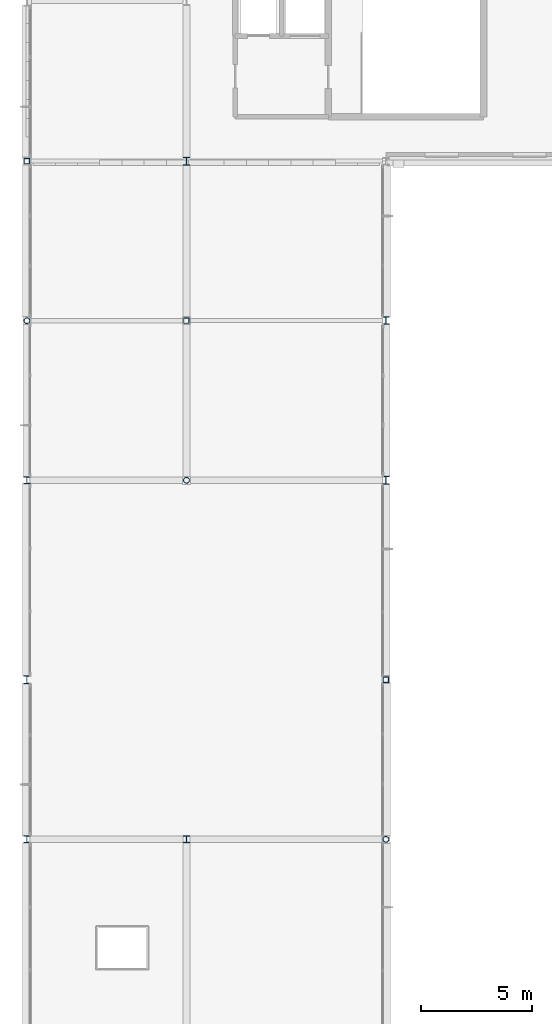
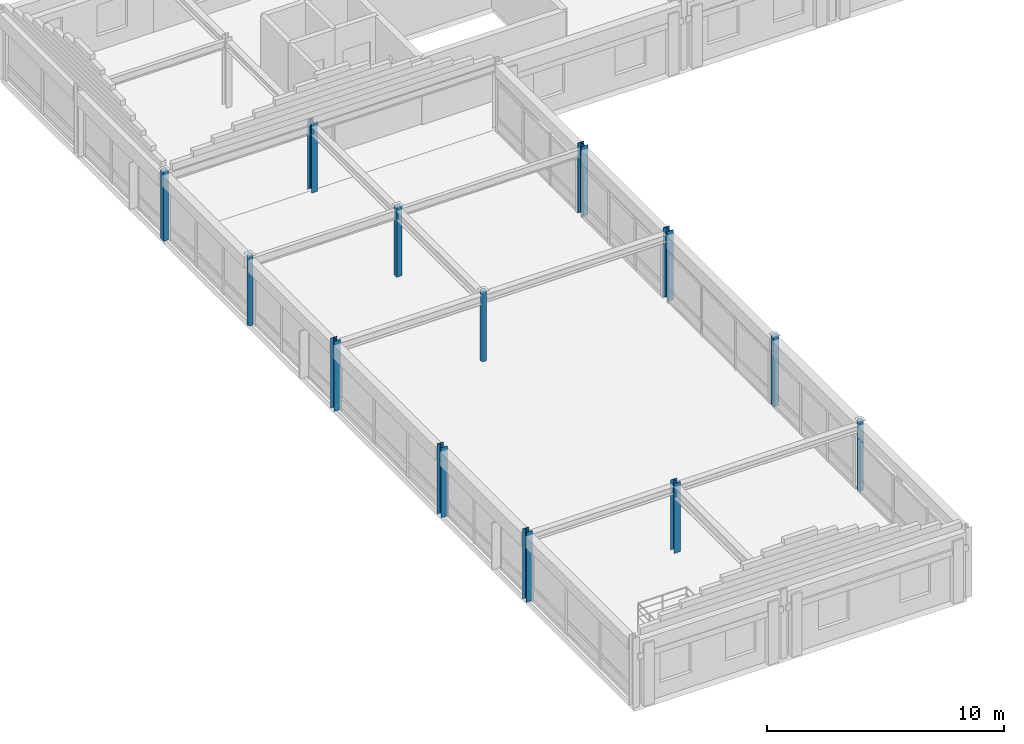
# One storey, part 3 of 52: 13 columns.
"""IFC4 building model written with IfcOpenShell, lengths in metres."""

from ifc_helpers import new_model, si_unit, direction, frame, origin, origin_2d, place, context, subcontext, project, spatial, hollow_rectangle, hollow_circle, i_section, extrude, material, material_profile, profile_set, type_object, element, save


model = new_model("IFC4")

# Units and contexts
model_context = context("Model", 3, precision=1e-05, world=origin(), true_north=direction((0.0, 1.0)))
body_context = subcontext(model_context, "Body", "Model", "MODEL_VIEW")
ifc_project = project(units=[si_unit("LENGTHUNIT", "METRE"), si_unit("AREAUNIT", "SQUARE_METRE"), si_unit("VOLUMEUNIT", "CUBIC_METRE"), si_unit("PLANEANGLEUNIT", "RADIAN"), si_unit("MASSUNIT", "GRAM", prefix="KILO")], contexts=[model_context])

# Site, building, storey
site_placement = place(None, origin())
site = spatial("IfcSite", under=ifc_project, at=site_placement, CompositionType="ELEMENT")
building_placement = place(site_placement, origin())
building = spatial("IfcBuilding", under=site, at=building_placement, Name="Clarverna Civic Hall", CompositionType="ELEMENT")
storey_placement = place(building_placement, frame((0.0, 0.0, 16.800048828125)))
storey = spatial("IfcBuildingStorey", under=building, at=storey_placement, Name="L04", CompositionType="ELEMENT", Elevation=16.800048828125)

# Columns
ifc_material = material(Name="Steel S355", Category="steel")
ifc_material_profile_1 = material_profile(ifc_material, i_section(OverallWidth=0.300048828125, OverallDepth=0.35009765625, WebThickness=0.010009765625, FlangeThickness=0.017578125, FilletRadius=0.027099609375, at=origin_2d()), Name="HEA 360")
ifc_profile_set_1 = profile_set([ifc_material_profile_1], Name="Steel S355")
column_type_1 = type_object("IfcColumnType", Name="C-ST11", PredefinedType="COLUMN", material=ifc_profile_set_1)
column_1_placement = place(storey_placement, frame((0.0, 78.800048828125, 0.0), z_axis=(0.0, 0.0, 1.0), x_axis=(1.0, 0.0, 0.0)))
element("IfcColumn", 1, at=column_1_placement, inside=storey, type_object=column_type_1, Name="C-ST11-001", PredefinedType="COLUMN", context=body_context, shape_type="SweptSolid", body=[
    extrude(i_section(OverallWidth=0.300048828125, OverallDepth=0.35009765625, WebThickness=0.010009765625, FlangeThickness=0.017578125, FilletRadius=0.027099609375, at=origin_2d()), origin(), (0.0, 0.0, 1.0), 3.599853515625),
])
ifc_material_profile_2 = material_profile(ifc_material, i_section(OverallWidth=0.300048828125, OverallDepth=0.31005859375, WebThickness=0.009033203125, FlangeThickness=0.015380859375, FilletRadius=0.027099609375, at=origin_2d()), Name="HEA 320")
ifc_profile_set_2 = profile_set([ifc_material_profile_2], Name="Steel S355")
column_type_2 = type_object("IfcColumnType", Name="C-ST12", PredefinedType="COLUMN", material=ifc_profile_set_2)
for number, where, z_axis, x_axis, name in (
    (2, (0.0, 87.800048828125, 0.0), (0.0, 0.0, 1.0), (1.0, 0.0, 0.0), "C-ST12-001"),
    (3, (7.199951171875, 71.60009765625, 0.0), (0.0, 0.0, 1.0), (1.0, 0.0, 0.0), "C-ST12-002"),
):
    element("IfcColumn", number, at=place(storey_placement, frame(where, z_axis=z_axis, x_axis=x_axis)), inside=storey, type_object=column_type_2, Name=name, PredefinedType="COLUMN", context=body_context, shape_type="SweptSolid", body=[
        extrude(i_section(OverallWidth=0.300048828125, OverallDepth=0.31005859375, WebThickness=0.009033203125, FlangeThickness=0.015380859375, FilletRadius=0.027099609375, at=origin_2d()), origin(), (0.0, 0.0, 1.0), 3.599853515625),
    ])
ifc_material_profile_3 = material_profile(ifc_material, hollow_circle(Radius=0.136474609375, WallThickness=0.012451171875, at=origin_2d()), Name="CHS 273.0x12.5")
ifc_profile_set_3 = profile_set([ifc_material_profile_3], Name="Steel S355")
column_type_3 = type_object("IfcColumnType", Name="C-ST14", PredefinedType="COLUMN", material=ifc_profile_set_3)
for number, where, z_axis, x_axis, name in (
    (4, (0.0, 95.0, 0.0), (0.0, 0.0, 1.0), (1.0, 0.0, 0.0), "C-ST14-001"),
    (5, (7.199951171875, 87.800048828125, 0.0), (0.0, 0.0, 1.0), (1.0, 0.0, 0.0), "C-ST14-002"),
    (6, (16.199951171875, 71.60009765625, 0.0), (0.0, 0.0, 1.0), (1.0, 0.0, 0.0), "C-ST14-003"),
):
    element("IfcColumn", number, at=place(storey_placement, frame(where, z_axis=z_axis, x_axis=x_axis)), inside=storey, type_object=column_type_3, Name=name, PredefinedType="COLUMN", context=body_context, shape_type="SweptSolid", body=[
        extrude(hollow_circle(Radius=0.136474609375, WallThickness=0.012451171875, at=origin_2d()), origin(), (0.0, 0.0, 1.0), 3.599853515625),
    ])
ifc_material_profile_4 = material_profile(ifc_material, hollow_rectangle(XDim=0.25, YDim=0.25, WallThickness=0.010009765625, at=origin_2d()), Name="RHS 250x250x10.0")
ifc_profile_set_4 = profile_set([ifc_material_profile_4], Name="Steel S355")
column_type_4 = type_object("IfcColumnType", Name="C-ST17", PredefinedType="COLUMN", material=ifc_profile_set_4)
for number, where, z_axis, x_axis, name in (
    (7, (0.0, 102.199951171875, 0.0), (0.0, 0.0, 1.0), (1.0, 0.0, 0.0), "C-ST17-001"),
    (8, (7.199951171875, 95.0, 0.0), (0.0, 0.0, 1.0), (1.0, 0.0, 0.0), "C-ST17-002"),
    (9, (16.199951171875, 78.800048828125, 0.0), (0.0, 0.0, 1.0), (1.0, 0.0, 0.0), "C-ST17-003"),
):
    element("IfcColumn", number, at=place(storey_placement, frame(where, z_axis=z_axis, x_axis=x_axis)), inside=storey, type_object=column_type_4, Name=name, PredefinedType="COLUMN", context=body_context, shape_type="SweptSolid", body=[
        extrude(hollow_rectangle(XDim=0.25, YDim=0.25, WallThickness=0.010009765625, at=origin_2d()), origin(), (0.0, 0.0, 1.0), 3.599853515625),
    ])
ifc_material_profile_5 = material_profile(ifc_material, i_section(OverallWidth=0.300048828125, OverallDepth=0.360107421875, WebThickness=0.012451171875, FlangeThickness=0.0224609375, FilletRadius=0.027099609375, at=origin_2d()), Name="HEB 360")
ifc_profile_set_5 = profile_set([ifc_material_profile_5], Name="Steel S355")
column_type_5 = type_object("IfcColumnType", Name="C-ST4", PredefinedType="COLUMN", material=ifc_profile_set_5)
for number, where, z_axis, x_axis, name in (
    (10, (7.199951171875, 102.199951171875, 0.0), (0.0, 0.0, 1.0), (1.0, 0.0, 0.0), "C-ST4-002"),
    (11, (16.199951171875, 87.800048828125, 0.0), (0.0, 0.0, 1.0), (1.0, 0.0, 0.0), "C-ST4-003"),
):
    element("IfcColumn", number, at=place(storey_placement, frame(where, z_axis=z_axis, x_axis=x_axis)), inside=storey, type_object=column_type_5, Name=name, PredefinedType="COLUMN", context=body_context, shape_type="SweptSolid", body=[
        extrude(i_section(OverallWidth=0.300048828125, OverallDepth=0.360107421875, WebThickness=0.012451171875, FlangeThickness=0.0224609375, FilletRadius=0.027099609375, at=origin_2d()), origin(), (0.0, 0.0, 1.0), 3.599853515625),
    ])
ifc_material_profile_6 = material_profile(ifc_material, i_section(OverallWidth=0.300048828125, OverallDepth=0.340087890625, WebThickness=0.011962890625, FlangeThickness=0.021484375, FilletRadius=0.027099609375, at=origin_2d()), Name="HEB 340")
ifc_profile_set_6 = profile_set([ifc_material_profile_6], Name="Steel S355")
column_type_6 = type_object("IfcColumnType", Name="C-ST5", PredefinedType="COLUMN", material=ifc_profile_set_6)
column_2_placement = place(storey_placement, frame((16.199951171875, 95.0, 0.0), z_axis=(0.0, 0.0, 1.0), x_axis=(1.0, 0.0, 0.0)))
element("IfcColumn", 12, at=column_2_placement, inside=storey, type_object=column_type_6, Name="C-ST5-004", PredefinedType="COLUMN", context=body_context, shape_type="SweptSolid", body=[
    extrude(i_section(OverallWidth=0.300048828125, OverallDepth=0.340087890625, WebThickness=0.011962890625, FlangeThickness=0.021484375, FilletRadius=0.027099609375, at=origin_2d()), origin(), (0.0, 0.0, 1.0), 3.599853515625),
])
ifc_material_profile_7 = material_profile(ifc_material, i_section(OverallWidth=0.300048828125, OverallDepth=0.320068359375, WebThickness=0.011474609375, FlangeThickness=0.0205078125, FilletRadius=0.027099609375, at=origin_2d()), Name="HEB 320")
ifc_profile_set_7 = profile_set([ifc_material_profile_7], Name="Steel S355")
column_type_7 = type_object("IfcColumnType", Name="C-ST6", PredefinedType="COLUMN", material=ifc_profile_set_7)
column_3_placement = place(storey_placement, frame((0.0, 71.60009765625, 0.0), z_axis=(0.0, 0.0, 1.0), x_axis=(1.0, 0.0, 0.0)))
element("IfcColumn", 13, at=column_3_placement, inside=storey, type_object=column_type_7, Name="C-ST6-001", PredefinedType="COLUMN", context=body_context, shape_type="SweptSolid", body=[
    extrude(i_section(OverallWidth=0.300048828125, OverallDepth=0.320068359375, WebThickness=0.011474609375, FlangeThickness=0.0205078125, FilletRadius=0.027099609375, at=origin_2d()), origin(), (0.0, 0.0, 1.0), 3.599853515625),
])

save(model, "model.ifc")
